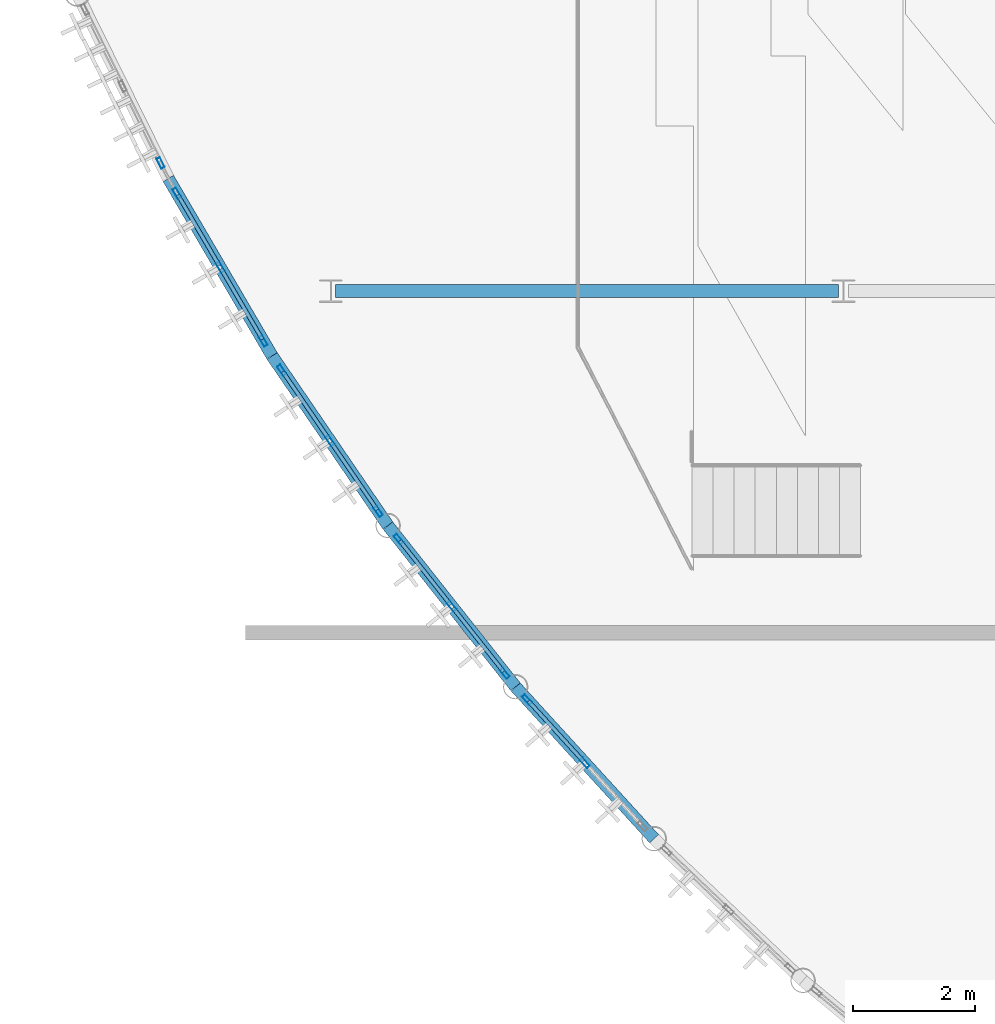
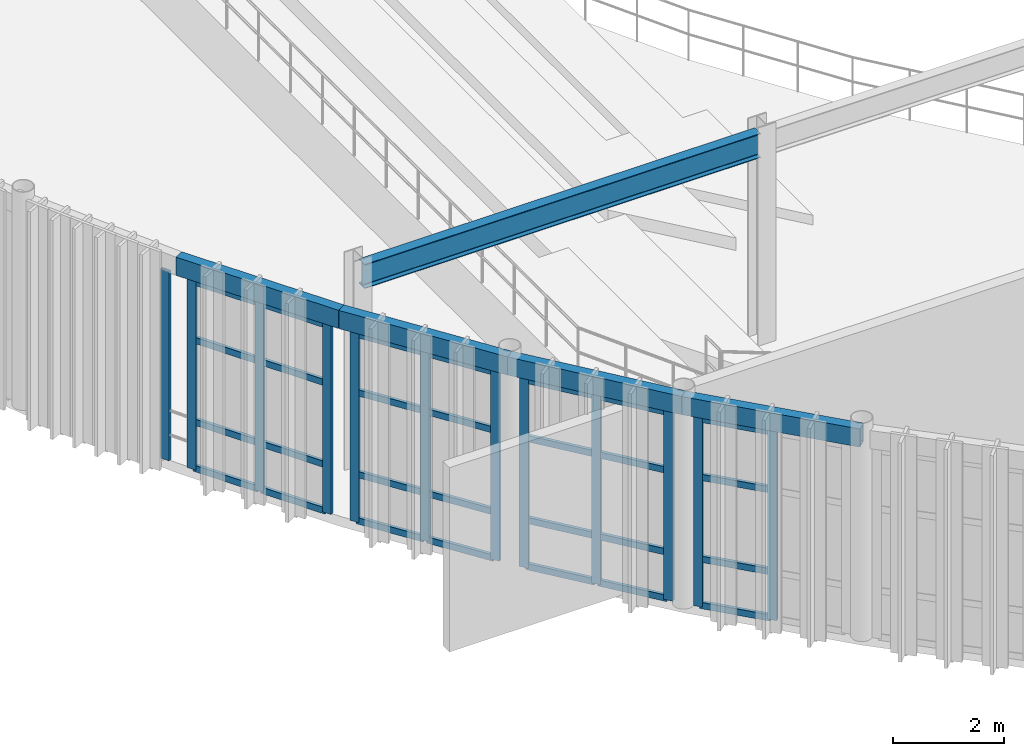
# One storey, part 20 of 105: 40 members, 5 beams, 5 elements without a shape of their own.
"""IFC4 building model written with IfcOpenShell, lengths in metres."""

from ifc_helpers import new_model, si_unit, direction, frame, origin, origin_2d, place, context, subcontext, project, spatial, hollow_rectangle, i_section, extrude, material, layer, layer_set, material_profile, profile_set, type_object, element, aggregate, save


model = new_model("IFC4")

# Units and contexts
model_context = context("Model", 3, precision=1e-05, world=origin(), true_north=direction((0.0, 1.0)))
body_context = subcontext(model_context, "Body", "Model", "MODEL_VIEW")
ifc_project = project(units=[si_unit("LENGTHUNIT", "METRE"), si_unit("AREAUNIT", "SQUARE_METRE"), si_unit("VOLUMEUNIT", "CUBIC_METRE"), si_unit("PLANEANGLEUNIT", "RADIAN"), si_unit("MASSUNIT", "GRAM", prefix="KILO")], contexts=[model_context])

# Site, building, storey
site_placement = place(None, origin())
site = spatial("IfcSite", under=ifc_project, at=site_placement, CompositionType="ELEMENT")
building_placement = place(site_placement, origin())
building = spatial("IfcBuilding", under=site, at=building_placement, Name="Selat Folded Stagehouse", CompositionType="ELEMENT")
storey_placement = place(building_placement, frame((0.0, 0.0, 10.199951171875)))
storey = spatial("IfcBuildingStorey", under=building, at=storey_placement, Name="L02", CompositionType="ELEMENT", Elevation=10.199951171875)

# Beam
ifc_material_1 = material(Name="Steel S355", Category="steel")
ifc_material_profile_1 = material_profile(ifc_material_1, i_section(OverallWidth=0.209228515625, OverallDepth=0.533203125, WebThickness=0.010009765625, FlangeThickness=0.015625, FilletRadius=0.0126953125, at=origin_2d()), Name="UKB 533x210x92")
ifc_profile_set_1 = profile_set([ifc_material_profile_1], Name="Steel S355")
beam_type_1 = type_object("IfcBeamType", Name="BM-GIRD-533x210x92", PredefinedType="BEAM", material=ifc_profile_set_1)
beam_placement = place(storey_placement, frame((8.47998046875, 23.39990234375, 4.33349609375), z_axis=(1.0, 0.0, 0.0), x_axis=(0.0, 1.0, 0.0)))
element("IfcBeam", 1, at=beam_placement, inside=storey, type_object=beam_type_1, Name="L02 primary x-girder 1008", PredefinedType="BEAM", context=body_context, shape_type="SweptSolid", body=[
    extrude(i_section(OverallWidth=0.209228515625, OverallDepth=0.533203125, WebThickness=0.010009765625, FlangeThickness=0.015625, FilletRadius=0.0126953125, at=origin_2d()), origin(), (0.0, 0.0, 1.0), 8.239990234375),
])

# Curtain wall, member
ifc_material_2 = material(Name="Aluminium 6063-T6", Category="aluminium")
ifc_layer = layer(ifc_material_2, 0.199951171875)
ifc_layer_set = layer_set([ifc_layer], Name="Aluminium 6063-T6")
curtain_wall_type = type_object("IfcCurtainWallType", Name="CW-DRM-MID", PredefinedType="NOTDEFINED", material=ifc_layer_set)
curtain_wall_1_placement = place(storey_placement, origin())
curtain_wall_1 = element("IfcCurtainWall", 2, at=curtain_wall_1_placement, inside=storey, type_object=curtain_wall_type, Name="L02 curtain wall CW-DRM-L02-08", PredefinedType="NOTDEFINED")
ifc_material_profile_2 = material_profile(ifc_material_2, hollow_rectangle(XDim=0.06494140625, YDim=0.179931640625, WallThickness=0.00390625, at=origin_2d()), Name="ALU 180x65x4.0")
ifc_profile_set_2 = profile_set([ifc_material_profile_2], Name="Aluminium 6063-T6")
member_type_1 = type_object("IfcMemberType", Name="CWM-MUL-180x65", PredefinedType="MULLION", material=ifc_profile_set_2)
member_1_placement = place(storey_placement, frame((5.61083984375, 25.4990234375, 0.0), z_axis=(0.0, 0.0, 1.0), x_axis=(-0.896598356392, -0.442844653705, 0.0)))
member_1 = element("IfcMember", 3, at=member_1_placement, type_object=member_type_1, Name="CW-02 mullion 1", PredefinedType="MULLION", context=body_context, shape_type="SweptSolid", body=[
    extrude(hollow_rectangle(XDim=0.06494140625, YDim=0.179931640625, WallThickness=0.00390625, at=origin_2d()), origin(), (0.0, 0.0, 1.0), 4.16015625),
])
aggregate(curtain_wall_1, [member_1])

# Curtain wall, members
curtain_wall_2_placement = place(storey_placement, origin())
curtain_wall_2 = element("IfcCurtainWall", 4, at=curtain_wall_2_placement, inside=storey, type_object=curtain_wall_type, Name="L02 curtain wall CW-DRM-L02-09", PredefinedType="NOTDEFINED")
member_2_placement = place(storey_placement, frame((7.293701171875, 22.5810546875, 0.0), z_axis=(0.0, 0.0, 1.0), x_axis=(-0.863332305214, -0.504635839764, 0.0)))
member_2 = element("IfcMember", 5, at=member_2_placement, type_object=member_type_1, Name="CW-02 mullion 1", PredefinedType="MULLION", context=body_context, shape_type="SweptSolid", body=[
    extrude(hollow_rectangle(XDim=0.06494140625, YDim=0.179931640625, WallThickness=0.00390625, at=origin_2d()), origin(), (0.0, 0.0, 1.0), 4.16015625),
])
member_3_placement = place(storey_placement, frame((6.586181640625, 23.79150390625, 0.0), z_axis=(0.0, 0.0, 1.0), x_axis=(-0.863332305214, -0.504635839764, 0.0)))
member_3 = element("IfcMember", 6, at=member_3_placement, type_object=member_type_1, Name="CW-02 mullion 2", PredefinedType="MULLION", context=body_context, shape_type="SweptSolid", body=[
    extrude(hollow_rectangle(XDim=0.06494140625, YDim=0.179931640625, WallThickness=0.00390625, at=origin_2d()), origin(), (0.0, 0.0, 1.0), 4.16015625),
])
member_4_placement = place(storey_placement, frame((5.878662109375, 25.001953125, 0.0), z_axis=(0.0, 0.0, 1.0), x_axis=(-0.863332305214, -0.504635839764, 0.0)))
member_4 = element("IfcMember", 7, at=member_4_placement, type_object=member_type_1, Name="CW-02 mullion 3", PredefinedType="MULLION", context=body_context, shape_type="SweptSolid", body=[
    extrude(hollow_rectangle(XDim=0.06494140625, YDim=0.179931640625, WallThickness=0.00390625, at=origin_2d()), origin(), (0.0, 0.0, 1.0), 4.16015625),
])

curtain_wall_3_placement = place(storey_placement, origin())
curtain_wall_3 = element("IfcCurtainWall", 8, at=curtain_wall_3_placement, inside=storey, type_object=curtain_wall_type, Name="L02 curtain wall CW-DRM-L02-10", PredefinedType="NOTDEFINED")
member_5_placement = place(storey_placement, frame((9.1767578125, 19.788330078125, 0.0), z_axis=(0.0, 0.0, 1.0), x_axis=(-0.825810483709, -0.563947732504, 0.0)))
member_5 = element("IfcMember", 9, at=member_5_placement, type_object=member_type_1, Name="CW-02 mullion 1", PredefinedType="MULLION", context=body_context, shape_type="SweptSolid", body=[
    extrude(hollow_rectangle(XDim=0.06494140625, YDim=0.179931640625, WallThickness=0.00390625, at=origin_2d()), origin(), (0.0, 0.0, 1.0), 4.16015625),
])
member_6_placement = place(storey_placement, frame((8.38623046875, 20.946044921875, 0.0), z_axis=(0.0, 0.0, 1.0), x_axis=(-0.825810483709, -0.563947732504, 0.0)))
member_6 = element("IfcMember", 10, at=member_6_placement, type_object=member_type_1, Name="CW-02 mullion 2", PredefinedType="MULLION", context=body_context, shape_type="SweptSolid", body=[
    extrude(hollow_rectangle(XDim=0.06494140625, YDim=0.179931640625, WallThickness=0.00390625, at=origin_2d()), origin(), (0.0, 0.0, 1.0), 4.16015625),
])
member_7_placement = place(storey_placement, frame((7.595458984375, 22.10400390625, 0.0), z_axis=(0.0, 0.0, 1.0), x_axis=(-0.825810483709, -0.563947732504, 0.0)))
member_7 = element("IfcMember", 11, at=member_7_placement, type_object=member_type_1, Name="CW-02 mullion 3", PredefinedType="MULLION", context=body_context, shape_type="SweptSolid", body=[
    extrude(hollow_rectangle(XDim=0.06494140625, YDim=0.179931640625, WallThickness=0.00390625, at=origin_2d()), origin(), (0.0, 0.0, 1.0), 4.16015625),
])

curtain_wall_4_placement = place(storey_placement, origin())
curtain_wall_4 = element("IfcCurtainWall", 12, at=curtain_wall_4_placement, inside=storey, type_object=curtain_wall_type, Name="L02 curtain wall CW-DRM-L02-11", PredefinedType="NOTDEFINED")
member_8_placement = place(storey_placement, frame((11.25146484375, 17.134765625, 0.0), z_axis=(0.0, 0.0, 1.0), x_axis=(-0.784180094825, -0.620533301992, 0.0)))
member_8 = element("IfcMember", 13, at=member_8_placement, type_object=member_type_1, Name="CW-02 mullion 1", PredefinedType="MULLION", context=body_context, shape_type="SweptSolid", body=[
    extrude(hollow_rectangle(XDim=0.06494140625, YDim=0.179931640625, WallThickness=0.00390625, at=origin_2d()), origin(), (0.0, 0.0, 1.0), 4.16015625),
])
member_9_placement = place(storey_placement, frame((10.38134765625, 18.234130859375, 0.0), z_axis=(0.0, 0.0, 1.0), x_axis=(-0.784180094825, -0.620533301992, 0.0)))
member_9 = element("IfcMember", 14, at=member_9_placement, type_object=member_type_1, Name="CW-02 mullion 2", PredefinedType="MULLION", context=body_context, shape_type="SweptSolid", body=[
    extrude(hollow_rectangle(XDim=0.06494140625, YDim=0.179931640625, WallThickness=0.00390625, at=origin_2d()), origin(), (0.0, 0.0, 1.0), 4.16015625),
])
member_10_placement = place(storey_placement, frame((9.511474609375, 19.33349609375, 0.0), z_axis=(0.0, 0.0, 1.0), x_axis=(-0.784180094825, -0.620533301992, 0.0)))
member_10 = element("IfcMember", 15, at=member_10_placement, type_object=member_type_1, Name="CW-02 mullion 3", PredefinedType="MULLION", context=body_context, shape_type="SweptSolid", body=[
    extrude(hollow_rectangle(XDim=0.06494140625, YDim=0.179931640625, WallThickness=0.00390625, at=origin_2d()), origin(), (0.0, 0.0, 1.0), 4.16015625),
])

curtain_wall_5_placement = place(storey_placement, origin())
curtain_wall_5 = element("IfcCurtainWall", 16, at=curtain_wall_5_placement, inside=storey, type_object=curtain_wall_type, Name="L02 curtain wall CW-DRM-L02-12", PredefinedType="NOTDEFINED")
member_11_placement = place(storey_placement, frame((12.56201171875, 15.668701171875, 0.0), z_axis=(0.0, 0.0, 1.0), x_axis=(-0.738729183213, -0.674002369336, 0.0)))
member_11 = element("IfcMember", 17, at=member_11_placement, type_object=member_type_1, Name="CW-02 mullion 2", PredefinedType="MULLION", context=body_context, shape_type="SweptSolid", body=[
    extrude(hollow_rectangle(XDim=0.06494140625, YDim=0.179931640625, WallThickness=0.00390625, at=origin_2d()), origin(), (0.0, 0.0, 1.0), 4.16015625),
])
member_12_placement = place(storey_placement, frame((11.6171875, 16.704345703125, 0.0), z_axis=(0.0, 0.0, 1.0), x_axis=(-0.738729183213, -0.674002369336, 0.0)))
member_12 = element("IfcMember", 18, at=member_12_placement, type_object=member_type_1, Name="CW-02 mullion 3", PredefinedType="MULLION", context=body_context, shape_type="SweptSolid", body=[
    extrude(hollow_rectangle(XDim=0.06494140625, YDim=0.179931640625, WallThickness=0.00390625, at=origin_2d()), origin(), (0.0, 0.0, 1.0), 4.16015625),
])

# Member
ifc_material_profile_3 = material_profile(ifc_material_2, hollow_rectangle(XDim=0.06494140625, YDim=0.139892578125, WallThickness=0.00390625, at=origin_2d()), Name="ALU 140x65x4.0")
ifc_profile_set_3 = profile_set([ifc_material_profile_3], Name="Aluminium 6063-T6")
member_type_2 = type_object("IfcMemberType", Name="CWM-TRN-140x65", PredefinedType="USERDEFINED", material=ifc_profile_set_3)
member_13_placement = place(storey_placement, frame((7.277099609375, 22.609130859375, 0.032470703125), z_axis=(-0.504552109114, 0.863381242088, 0.0), x_axis=(-0.863381242088, -0.504552109114, 0.0)))
member_13 = element("IfcMember", 19, at=member_13_placement, type_object=member_type_2, Name="CW-02 transom 1.1", ObjectType="TRANSOM", PredefinedType="USERDEFINED", context=body_context, shape_type="SweptSolid", body=[
    extrude(hollow_rectangle(XDim=0.06494140625, YDim=0.139892578125, WallThickness=0.00390625, at=origin_2d()), origin(), (0.0, 0.0, 1.0), 1.3369140625),
])

member_14_placement = place(storey_placement, frame((7.277099609375, 22.609130859375, 1.050048828125), z_axis=(-0.504552109114, 0.863381242088, 0.0), x_axis=(-0.863381242088, -0.504552109114, 0.0)))
member_14 = element("IfcMember", 20, at=member_14_placement, type_object=member_type_2, Name="CW-02 transom 1.2", ObjectType="TRANSOM", PredefinedType="USERDEFINED", context=body_context, shape_type="SweptSolid", body=[
    extrude(hollow_rectangle(XDim=0.06494140625, YDim=0.139892578125, WallThickness=0.00390625, at=origin_2d()), origin(), (0.0, 0.0, 1.0), 1.3369140625),
])

member_15_placement = place(storey_placement, frame((7.277099609375, 22.609130859375, 2.85009765625), z_axis=(-0.504552109114, 0.863381242088, 0.0), x_axis=(-0.863381242088, -0.504552109114, 0.0)))
member_15 = element("IfcMember", 21, at=member_15_placement, type_object=member_type_2, Name="CW-02 transom 1.3", ObjectType="TRANSOM", PredefinedType="USERDEFINED", context=body_context, shape_type="SweptSolid", body=[
    extrude(hollow_rectangle(XDim=0.06494140625, YDim=0.139892578125, WallThickness=0.00390625, at=origin_2d()), origin(), (0.0, 0.0, 1.0), 1.3369140625),
])

member_16_placement = place(storey_placement, frame((7.277099609375, 22.609130859375, 4.12744140625), z_axis=(-0.504552109114, 0.863381242088, 0.0), x_axis=(-0.863381242088, -0.504552109114, 0.0)))
member_16 = element("IfcMember", 22, at=member_16_placement, type_object=member_type_2, Name="CW-02 transom 1.4", ObjectType="TRANSOM", PredefinedType="USERDEFINED", context=body_context, shape_type="SweptSolid", body=[
    extrude(hollow_rectangle(XDim=0.06494140625, YDim=0.139892578125, WallThickness=0.00390625, at=origin_2d()), origin(), (0.0, 0.0, 1.0), 1.3369140625),
])

member_17_placement = place(storey_placement, frame((6.569580078125, 23.819580078125, 0.032470703125), z_axis=(-0.504552109114, 0.863381242088, 0.0), x_axis=(-0.863381242088, -0.504552109114, 0.0)))
member_17 = element("IfcMember", 23, at=member_17_placement, type_object=member_type_2, Name="CW-02 transom 2.1", ObjectType="TRANSOM", PredefinedType="USERDEFINED", context=body_context, shape_type="SweptSolid", body=[
    extrude(hollow_rectangle(XDim=0.06494140625, YDim=0.139892578125, WallThickness=0.00390625, at=origin_2d()), origin(), (0.0, 0.0, 1.0), 1.3369140625),
])

member_18_placement = place(storey_placement, frame((6.569580078125, 23.819580078125, 1.050048828125), z_axis=(-0.504552109114, 0.863381242088, 0.0), x_axis=(-0.863381242088, -0.504552109114, 0.0)))
member_18 = element("IfcMember", 24, at=member_18_placement, type_object=member_type_2, Name="CW-02 transom 2.2", ObjectType="TRANSOM", PredefinedType="USERDEFINED", context=body_context, shape_type="SweptSolid", body=[
    extrude(hollow_rectangle(XDim=0.06494140625, YDim=0.139892578125, WallThickness=0.00390625, at=origin_2d()), origin(), (0.0, 0.0, 1.0), 1.3369140625),
])

member_19_placement = place(storey_placement, frame((6.569580078125, 23.819580078125, 2.85009765625), z_axis=(-0.504552109114, 0.863381242088, 0.0), x_axis=(-0.863381242088, -0.504552109114, 0.0)))
member_19 = element("IfcMember", 25, at=member_19_placement, type_object=member_type_2, Name="CW-02 transom 2.3", ObjectType="TRANSOM", PredefinedType="USERDEFINED", context=body_context, shape_type="SweptSolid", body=[
    extrude(hollow_rectangle(XDim=0.06494140625, YDim=0.139892578125, WallThickness=0.00390625, at=origin_2d()), origin(), (0.0, 0.0, 1.0), 1.3369140625),
])

member_20_placement = place(storey_placement, frame((6.569580078125, 23.819580078125, 4.12744140625), z_axis=(-0.504552109114, 0.863381242088, 0.0), x_axis=(-0.863381242088, -0.504552109114, 0.0)))
member_20 = element("IfcMember", 26, at=member_20_placement, type_object=member_type_2, Name="CW-02 transom 2.4", ObjectType="TRANSOM", PredefinedType="USERDEFINED", context=body_context, shape_type="SweptSolid", body=[
    extrude(hollow_rectangle(XDim=0.06494140625, YDim=0.139892578125, WallThickness=0.00390625, at=origin_2d()), origin(), (0.0, 0.0, 1.0), 1.3369140625),
])

aggregate(curtain_wall_2, [member_2, member_3, member_4, member_13, member_14, member_15, member_16, member_17, member_18, member_19, member_20])

member_21_placement = place(storey_placement, frame((9.158447265625, 19.815185546875, 0.032470703125), z_axis=(-0.563937345678, 0.825817576799, 0.0), x_axis=(-0.825817576799, -0.563937345678, 0.0)))
member_21 = element("IfcMember", 27, at=member_21_placement, type_object=member_type_2, Name="CW-02 transom 1.1", ObjectType="TRANSOM", PredefinedType="USERDEFINED", context=body_context, shape_type="SweptSolid", body=[
    extrude(hollow_rectangle(XDim=0.06494140625, YDim=0.139892578125, WallThickness=0.00390625, at=origin_2d()), origin(), (0.0, 0.0, 1.0), 1.3369140625),
])

member_22_placement = place(storey_placement, frame((9.158447265625, 19.815185546875, 1.050048828125), z_axis=(-0.563937345678, 0.825817576799, 0.0), x_axis=(-0.825817576799, -0.563937345678, 0.0)))
member_22 = element("IfcMember", 28, at=member_22_placement, type_object=member_type_2, Name="CW-02 transom 1.2", ObjectType="TRANSOM", PredefinedType="USERDEFINED", context=body_context, shape_type="SweptSolid", body=[
    extrude(hollow_rectangle(XDim=0.06494140625, YDim=0.139892578125, WallThickness=0.00390625, at=origin_2d()), origin(), (0.0, 0.0, 1.0), 1.3369140625),
])

member_23_placement = place(storey_placement, frame((9.158447265625, 19.815185546875, 2.85009765625), z_axis=(-0.563937345678, 0.825817576799, 0.0), x_axis=(-0.825817576799, -0.563937345678, 0.0)))
member_23 = element("IfcMember", 29, at=member_23_placement, type_object=member_type_2, Name="CW-02 transom 1.3", ObjectType="TRANSOM", PredefinedType="USERDEFINED", context=body_context, shape_type="SweptSolid", body=[
    extrude(hollow_rectangle(XDim=0.06494140625, YDim=0.139892578125, WallThickness=0.00390625, at=origin_2d()), origin(), (0.0, 0.0, 1.0), 1.3369140625),
])

member_24_placement = place(storey_placement, frame((9.158447265625, 19.815185546875, 4.12744140625), z_axis=(-0.563937345678, 0.825817576799, 0.0), x_axis=(-0.825817576799, -0.563937345678, 0.0)))
member_24 = element("IfcMember", 30, at=member_24_placement, type_object=member_type_2, Name="CW-02 transom 1.4", ObjectType="TRANSOM", PredefinedType="USERDEFINED", context=body_context, shape_type="SweptSolid", body=[
    extrude(hollow_rectangle(XDim=0.06494140625, YDim=0.139892578125, WallThickness=0.00390625, at=origin_2d()), origin(), (0.0, 0.0, 1.0), 1.3369140625),
])

member_25_placement = place(storey_placement, frame((8.367919921875, 20.972900390625, 0.032470703125), z_axis=(-0.563976829856, 0.825790612314, 0.0), x_axis=(-0.825790612314, -0.563976829856, 0.0)))
member_25 = element("IfcMember", 31, at=member_25_placement, type_object=member_type_2, Name="CW-02 transom 2.1", ObjectType="TRANSOM", PredefinedType="USERDEFINED", context=body_context, shape_type="SweptSolid", body=[
    extrude(hollow_rectangle(XDim=0.06494140625, YDim=0.139892578125, WallThickness=0.00390625, at=origin_2d()), origin(), (0.0, 0.0, 1.0), 1.337158203125),
])

member_26_placement = place(storey_placement, frame((8.367919921875, 20.972900390625, 1.050048828125), z_axis=(-0.563976829856, 0.825790612314, 0.0), x_axis=(-0.825790612314, -0.563976829856, 0.0)))
member_26 = element("IfcMember", 32, at=member_26_placement, type_object=member_type_2, Name="CW-02 transom 2.2", ObjectType="TRANSOM", PredefinedType="USERDEFINED", context=body_context, shape_type="SweptSolid", body=[
    extrude(hollow_rectangle(XDim=0.06494140625, YDim=0.139892578125, WallThickness=0.00390625, at=origin_2d()), origin(), (0.0, 0.0, 1.0), 1.337158203125),
])

member_27_placement = place(storey_placement, frame((8.367919921875, 20.972900390625, 2.85009765625), z_axis=(-0.563976829856, 0.825790612314, 0.0), x_axis=(-0.825790612314, -0.563976829856, 0.0)))
member_27 = element("IfcMember", 33, at=member_27_placement, type_object=member_type_2, Name="CW-02 transom 2.3", ObjectType="TRANSOM", PredefinedType="USERDEFINED", context=body_context, shape_type="SweptSolid", body=[
    extrude(hollow_rectangle(XDim=0.06494140625, YDim=0.139892578125, WallThickness=0.00390625, at=origin_2d()), origin(), (0.0, 0.0, 1.0), 1.337158203125),
])

member_28_placement = place(storey_placement, frame((8.367919921875, 20.972900390625, 4.12744140625), z_axis=(-0.563976829856, 0.825790612314, 0.0), x_axis=(-0.825790612314, -0.563976829856, 0.0)))
member_28 = element("IfcMember", 34, at=member_28_placement, type_object=member_type_2, Name="CW-02 transom 2.4", ObjectType="TRANSOM", PredefinedType="USERDEFINED", context=body_context, shape_type="SweptSolid", body=[
    extrude(hollow_rectangle(XDim=0.06494140625, YDim=0.139892578125, WallThickness=0.00390625, at=origin_2d()), origin(), (0.0, 0.0, 1.0), 1.337158203125),
])

aggregate(curtain_wall_3, [member_5, member_6, member_7, member_21, member_22, member_23, member_24, member_25, member_26, member_27, member_28])

member_29_placement = place(storey_placement, frame((11.231201171875, 17.16015625, 0.032470703125), z_axis=(-0.620543894038, 0.784171713066, 0.0), x_axis=(-0.784171713066, -0.620543894038, 0.0)))
member_29 = element("IfcMember", 35, at=member_29_placement, type_object=member_type_2, Name="CW-02 transom 1.1", ObjectType="TRANSOM", PredefinedType="USERDEFINED", context=body_context, shape_type="SweptSolid", body=[
    extrude(hollow_rectangle(XDim=0.06494140625, YDim=0.139892578125, WallThickness=0.00390625, at=origin_2d()), origin(), (0.0, 0.0, 1.0), 1.3369140625),
])

member_30_placement = place(storey_placement, frame((11.231201171875, 17.16015625, 1.050048828125), z_axis=(-0.620543894038, 0.784171713066, 0.0), x_axis=(-0.784171713066, -0.620543894038, 0.0)))
member_30 = element("IfcMember", 36, at=member_30_placement, type_object=member_type_2, Name="CW-02 transom 1.2", ObjectType="TRANSOM", PredefinedType="USERDEFINED", context=body_context, shape_type="SweptSolid", body=[
    extrude(hollow_rectangle(XDim=0.06494140625, YDim=0.139892578125, WallThickness=0.00390625, at=origin_2d()), origin(), (0.0, 0.0, 1.0), 1.3369140625),
])

member_31_placement = place(storey_placement, frame((11.231201171875, 17.16015625, 2.85009765625), z_axis=(-0.620543894038, 0.784171713066, 0.0), x_axis=(-0.784171713066, -0.620543894038, 0.0)))
member_31 = element("IfcMember", 37, at=member_31_placement, type_object=member_type_2, Name="CW-02 transom 1.3", ObjectType="TRANSOM", PredefinedType="USERDEFINED", context=body_context, shape_type="SweptSolid", body=[
    extrude(hollow_rectangle(XDim=0.06494140625, YDim=0.139892578125, WallThickness=0.00390625, at=origin_2d()), origin(), (0.0, 0.0, 1.0), 1.3369140625),
])

member_32_placement = place(storey_placement, frame((11.231201171875, 17.16015625, 4.12744140625), z_axis=(-0.620543894038, 0.784171713066, 0.0), x_axis=(-0.784171713066, -0.620543894038, 0.0)))
member_32 = element("IfcMember", 38, at=member_32_placement, type_object=member_type_2, Name="CW-02 transom 1.4", ObjectType="TRANSOM", PredefinedType="USERDEFINED", context=body_context, shape_type="SweptSolid", body=[
    extrude(hollow_rectangle(XDim=0.06494140625, YDim=0.139892578125, WallThickness=0.00390625, at=origin_2d()), origin(), (0.0, 0.0, 1.0), 1.3369140625),
])

member_33_placement = place(storey_placement, frame((10.361328125, 18.259521484375, 0.032470703125), z_axis=(-0.620455037356, 0.784242020437, 0.0), x_axis=(-0.784242020437, -0.620455037356, 0.0)))
member_33 = element("IfcMember", 39, at=member_33_placement, type_object=member_type_2, Name="CW-02 transom 2.1", ObjectType="TRANSOM", PredefinedType="USERDEFINED", context=body_context, shape_type="SweptSolid", body=[
    extrude(hollow_rectangle(XDim=0.06494140625, YDim=0.139892578125, WallThickness=0.00390625, at=origin_2d()), origin(), (0.0, 0.0, 1.0), 1.337158203125),
])

member_34_placement = place(storey_placement, frame((10.361328125, 18.259521484375, 1.050048828125), z_axis=(-0.620455037356, 0.784242020437, 0.0), x_axis=(-0.784242020437, -0.620455037356, 0.0)))
member_34 = element("IfcMember", 40, at=member_34_placement, type_object=member_type_2, Name="CW-02 transom 2.2", ObjectType="TRANSOM", PredefinedType="USERDEFINED", context=body_context, shape_type="SweptSolid", body=[
    extrude(hollow_rectangle(XDim=0.06494140625, YDim=0.139892578125, WallThickness=0.00390625, at=origin_2d()), origin(), (0.0, 0.0, 1.0), 1.337158203125),
])

member_35_placement = place(storey_placement, frame((10.361328125, 18.259521484375, 2.85009765625), z_axis=(-0.620455037356, 0.784242020437, 0.0), x_axis=(-0.784242020437, -0.620455037356, 0.0)))
member_35 = element("IfcMember", 41, at=member_35_placement, type_object=member_type_2, Name="CW-02 transom 2.3", ObjectType="TRANSOM", PredefinedType="USERDEFINED", context=body_context, shape_type="SweptSolid", body=[
    extrude(hollow_rectangle(XDim=0.06494140625, YDim=0.139892578125, WallThickness=0.00390625, at=origin_2d()), origin(), (0.0, 0.0, 1.0), 1.337158203125),
])

member_36_placement = place(storey_placement, frame((10.361328125, 18.259521484375, 4.12744140625), z_axis=(-0.620455037356, 0.784242020437, 0.0), x_axis=(-0.784242020437, -0.620455037356, 0.0)))
member_36 = element("IfcMember", 42, at=member_36_placement, type_object=member_type_2, Name="CW-02 transom 2.4", ObjectType="TRANSOM", PredefinedType="USERDEFINED", context=body_context, shape_type="SweptSolid", body=[
    extrude(hollow_rectangle(XDim=0.06494140625, YDim=0.139892578125, WallThickness=0.00390625, at=origin_2d()), origin(), (0.0, 0.0, 1.0), 1.337158203125),
])

aggregate(curtain_wall_4, [member_8, member_9, member_10, member_29, member_30, member_31, member_32, member_33, member_34, member_35, member_36])

member_37_placement = place(storey_placement, frame((12.5400390625, 15.692626953125, 0.032470703125), z_axis=(-0.673953245799, 0.738773999594, 0.0), x_axis=(-0.738773999594, -0.673953245799, 0.0)))
member_37 = element("IfcMember", 43, at=member_37_placement, type_object=member_type_2, Name="CW-02 transom 2.1", ObjectType="TRANSOM", PredefinedType="USERDEFINED", context=body_context, shape_type="SweptSolid", body=[
    extrude(hollow_rectangle(XDim=0.06494140625, YDim=0.139892578125, WallThickness=0.00390625, at=origin_2d()), origin(), (0.0, 0.0, 1.0), 1.337158203125),
])

member_38_placement = place(storey_placement, frame((12.5400390625, 15.692626953125, 1.050048828125), z_axis=(-0.673953245799, 0.738773999594, 0.0), x_axis=(-0.738773999594, -0.673953245799, 0.0)))
member_38 = element("IfcMember", 44, at=member_38_placement, type_object=member_type_2, Name="CW-02 transom 2.2", ObjectType="TRANSOM", PredefinedType="USERDEFINED", context=body_context, shape_type="SweptSolid", body=[
    extrude(hollow_rectangle(XDim=0.06494140625, YDim=0.139892578125, WallThickness=0.00390625, at=origin_2d()), origin(), (0.0, 0.0, 1.0), 1.337158203125),
])

member_39_placement = place(storey_placement, frame((12.5400390625, 15.692626953125, 2.85009765625), z_axis=(-0.673953245799, 0.738773999594, 0.0), x_axis=(-0.738773999594, -0.673953245799, 0.0)))
member_39 = element("IfcMember", 45, at=member_39_placement, type_object=member_type_2, Name="CW-02 transom 2.3", ObjectType="TRANSOM", PredefinedType="USERDEFINED", context=body_context, shape_type="SweptSolid", body=[
    extrude(hollow_rectangle(XDim=0.06494140625, YDim=0.139892578125, WallThickness=0.00390625, at=origin_2d()), origin(), (0.0, 0.0, 1.0), 1.337158203125),
])

member_40_placement = place(storey_placement, frame((12.5400390625, 15.692626953125, 4.12744140625), z_axis=(-0.673953245799, 0.738773999594, 0.0), x_axis=(-0.738773999594, -0.673953245799, 0.0)))
member_40 = element("IfcMember", 46, at=member_40_placement, type_object=member_type_2, Name="CW-02 transom 2.4", ObjectType="TRANSOM", PredefinedType="USERDEFINED", context=body_context, shape_type="SweptSolid", body=[
    extrude(hollow_rectangle(XDim=0.06494140625, YDim=0.139892578125, WallThickness=0.00390625, at=origin_2d()), origin(), (0.0, 0.0, 1.0), 1.337158203125),
])

aggregate(curtain_wall_5, [member_11, member_12, member_37, member_38, member_39, member_40])

# Beams
ifc_material_profile_4 = material_profile(ifc_material_1, hollow_rectangle(XDim=0.199951171875, YDim=0.39990234375, WallThickness=0.012451171875, at=origin_2d()), Name="RHS 400x200x12.5")
ifc_profile_set_4 = profile_set([ifc_material_profile_4], Name="Steel S355")
beam_type_2 = type_object("IfcBeamType", Name="SPD-EXT-400x200", PredefinedType="SPANDREL", material=ifc_profile_set_4)
for number, where, z_axis, x_axis, name in (
    (47, (5.736083984375, 25.24560546875, 4.400146484375), (0.504668336107, -0.863313309599, 0.0), (0.863313309599, 0.504668336107, 0.0), "L02 curved drum spandrel beam 10"),
    (48, (7.436279296875, 22.337158203125, 4.400146484375), (0.563964056933, -0.825799335485, 0.0), (0.825799335485, 0.563964056933, 0.0), "L02 curved drum spandrel beam 11"),
):
    element("IfcBeam", number, at=place(storey_placement, frame(where, z_axis=z_axis, x_axis=x_axis)), inside=storey, type_object=beam_type_2, Name=name, PredefinedType="SPANDREL", context=body_context, shape_type="SweptSolid", body=[
        extrude(hollow_rectangle(XDim=0.199951171875, YDim=0.39990234375, WallThickness=0.012451171875, at=origin_2d()), origin(), (0.0, 0.0, 1.0), 3.368896484375),
    ])
for number, where, z_axis, x_axis, name in (
    (49, (9.336181640625, 19.55517578125, 4.400146484375), (0.62050618255, -0.784201554077, 0.0), (0.784201554077, 0.62050618255, 0.0), "L02 curved drum spandrel beam 12"),
    (50, (11.4267578125, 16.9130859375, 4.400146484375), (0.674009862858, -0.738722346197, 0.0), (0.738722346197, 0.674009862858, 0.0), "L02 curved drum spandrel beam 13"),
):
    element("IfcBeam", number, at=place(storey_placement, frame(where, z_axis=z_axis, x_axis=x_axis)), inside=storey, type_object=beam_type_2, Name=name, PredefinedType="SPANDREL", context=body_context, shape_type="SweptSolid", body=[
        extrude(hollow_rectangle(XDim=0.199951171875, YDim=0.39990234375, WallThickness=0.012451171875, at=origin_2d()), origin(), (0.0, 0.0, 1.0), 3.369140625),
    ])

save(model, "model.ifc")
